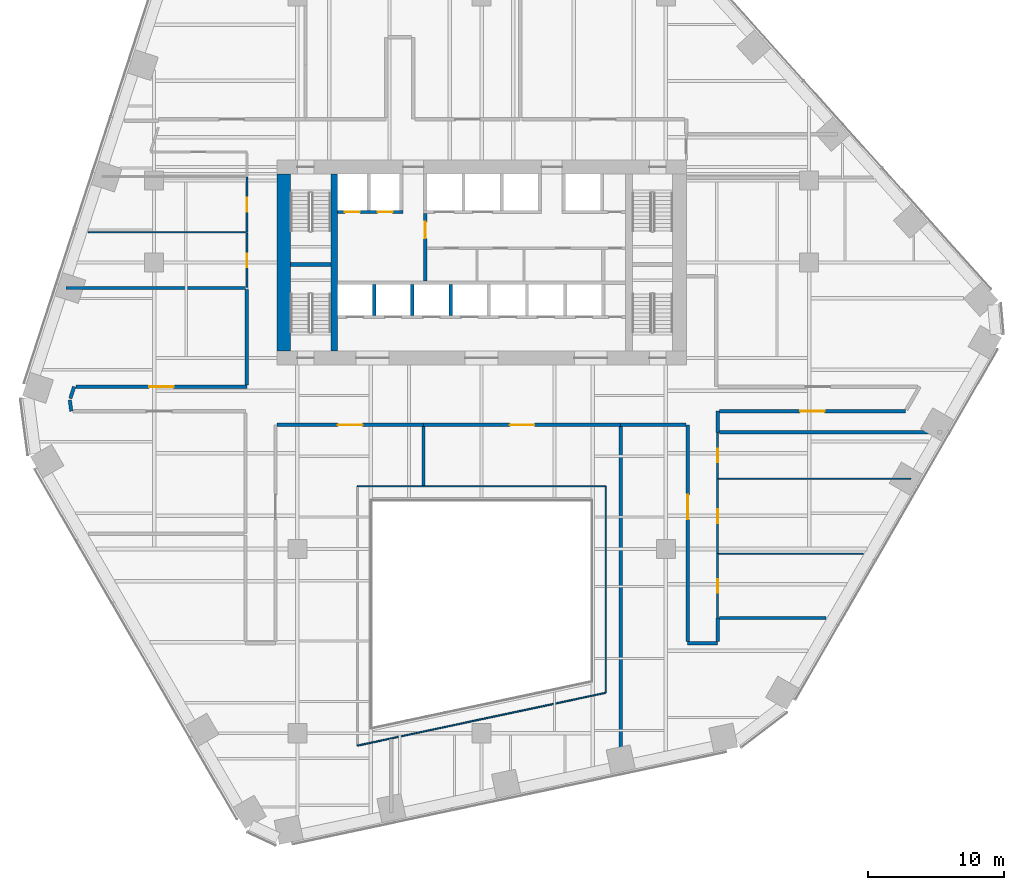
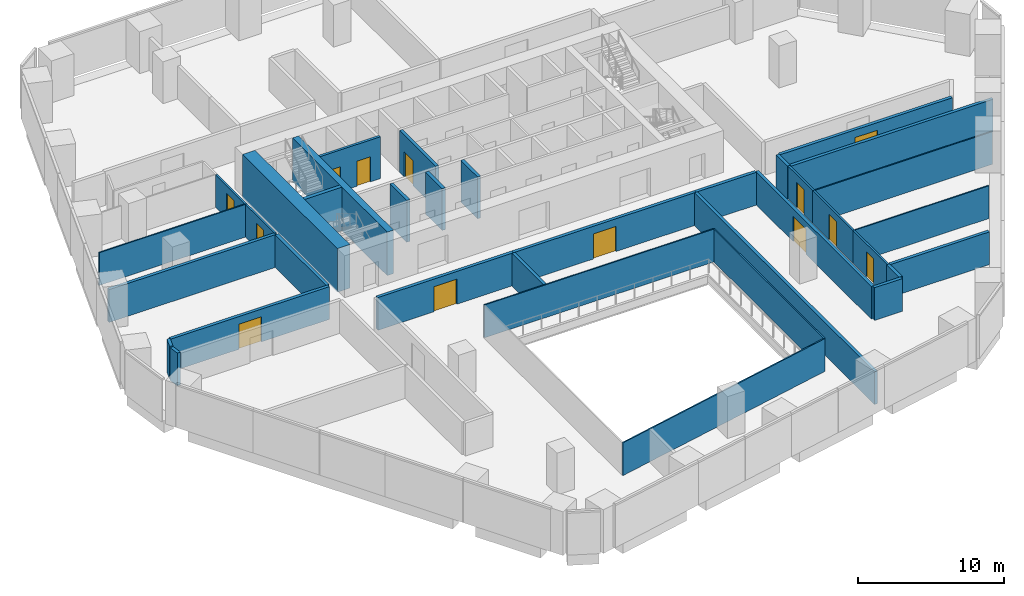
# One storey, part 14 of 20: 36 walls, 13 doors, 13 openings.
"""IFC4 building model written with IfcOpenShell, lengths in metres."""

from ifc_helpers import new_model, si_unit, direction, frame, frame_2d, origin, place, context, subcontext, project, spatial, rectangle, extrude, material, layer, layer_set, type_object, element, fill, save


model = new_model("IFC4")

# Units and contexts
model_context = context("Model", 3, precision=1e-05, world=origin(), true_north=direction((0.0, 1.0)))
body_context = subcontext(model_context, "Body", "Model", "MODEL_VIEW")
ifc_project = project(units=[si_unit("LENGTHUNIT", "METRE"), si_unit("AREAUNIT", "SQUARE_METRE"), si_unit("VOLUMEUNIT", "CUBIC_METRE"), si_unit("PLANEANGLEUNIT", "RADIAN"), si_unit("MASSUNIT", "GRAM", prefix="KILO")], contexts=[model_context])

# Site, building, storey
site_placement = place(None, origin())
site = spatial("IfcSite", under=ifc_project, at=site_placement, CompositionType="ELEMENT")
building_placement = place(site_placement, origin())
building = spatial("IfcBuilding", under=site, at=building_placement, Name="Isthmus Gate Tower", CompositionType="ELEMENT")
storey_placement = place(building_placement, frame((0.0, 0.0, 57.89990234375)))
storey = spatial("IfcBuildingStorey", under=building, at=storey_placement, Name="L12", CompositionType="ELEMENT", Elevation=57.89990234375)

# Wall, opening, door
ifc_material_1 = material(Name="Double-leaf acoustic stud wall, fire-rated", Category="gypsum")
ifc_layer_1 = layer(ifc_material_1, 0.25)
ifc_layer_set_1 = layer_set([ifc_layer_1], Name="ACOUSTIC WALL 250 60 MIN")
wall_type_1 = type_object("IfcWallType", Name="ACOUSTIC WALL 250 60 MIN", PredefinedType="PARTITIONING", material=ifc_layer_set_1)
wall_1_placement = place(storey_placement, frame((-4.2548828125, -4.39990234375, 0.0), z_axis=(0.0, 0.0, 1.0), x_axis=(-1.0, 0.0, 0.0)))
wall_1 = element("IfcWall", 1, at=wall_1_placement, inside=storey, type_object=wall_type_1, Name="L12 Acoustic Wall 250 60 Min", PredefinedType="PARTITIONING", context=body_context, shape_type="SweptSolid", body=[
    extrude(rectangle(XDim=10.72021484375, YDim=0.25, at=frame_2d((5.360107421875, 0.0))), origin(), (0.0, 0.0, 1.0), 2.7412109375),
])
opening_1_placement = place(wall_1_placement, frame((4.472412109375, 0.0, 0.0)))
opening_1 = element("IfcOpeningElement", 2, at=opening_1_placement, cuts=wall_1, Name="Opening DT-T1C-15", PredefinedType="OPENING", context=body_context, shape_type="SweptSolid", body=[
    extrude(rectangle(XDim=1.800048828125, YDim=2.10009765625, at=frame_2d((0.89990234375, 1.050048828125))), frame((0.0, 0.135009765625, 0.0), z_axis=(0.0, -1.0, 0.0), x_axis=(1.0, 0.0, 0.0)), (0.0, 0.0, 1.0), 0.27001953125),
])
ifc_material_2 = material(Name="Solid core timber door leaf, fire-rated", Category="wood")
door_type_1 = type_object("IfcDoorType", Name="FIRE DOOR ACOUSTIC ROOM 1800 X 2100 60 MIN", OperationType="DOUBLE_DOOR_DOUBLE_SWING", PredefinedType="DOOR", material=ifc_material_2)
door_1_placement = place(opening_1_placement, origin())
door_1 = element("IfcDoor", 3, at=door_1_placement, inside=storey, type_object=door_type_1, Name="L12 room door", OperationType="DOUBLE_DOOR_DOUBLE_SWING", OverallHeight=2.10009765625, OverallWidth=1.800048828125, PredefinedType="DOOR", context=body_context, shape_type="SweptSolid", body=[
    extrude(rectangle(XDim=1.800048828125, YDim=2.10009765625, at=frame_2d((0.89990234375, 1.050048828125))), frame((0.0, 0.02490234375, 0.0), z_axis=(0.0, -1.0, 0.0), x_axis=(1.0, 0.0, 0.0)), (0.0, 0.0, 1.0), 0.050048828125),
])
fill(opening_1, door_1)

wall_2_placement = place(storey_placement, frame((10.19189453125, -4.39990234375, 0.0), z_axis=(0.0, 0.0, 1.0), x_axis=(-1.0, 0.0, 0.0)))
wall_2 = element("IfcWall", 4, at=wall_2_placement, inside=storey, type_object=wall_type_1, Name="L12 Acoustic Wall 250 60 Min", PredefinedType="PARTITIONING", context=body_context, shape_type="SweptSolid", body=[
    extrude(rectangle(XDim=14.44677734375, YDim=0.25, at=frame_2d((7.223388671875, 0.0))), origin(), (0.0, 0.0, 1.0), 2.7412109375),
])
opening_2_placement = place(wall_2_placement, frame((6.323486328125, 0.0, 0.0)))
opening_2 = element("IfcOpeningElement", 5, at=opening_2_placement, cuts=wall_2, Name="Opening DT-T1C-16", PredefinedType="OPENING", context=body_context, shape_type="SweptSolid", body=[
    extrude(rectangle(XDim=1.800048828125, YDim=2.10009765625, at=frame_2d((0.89990234375, 1.050048828125))), frame((0.0, 0.135009765625, 0.0), z_axis=(0.0, -1.0, 0.0), x_axis=(1.0, 0.0, 0.0)), (0.0, 0.0, 1.0), 0.27001953125),
])
door_2_placement = place(opening_2_placement, origin())
door_2 = element("IfcDoor", 6, at=door_2_placement, inside=storey, type_object=door_type_1, Name="L12 room door", OperationType="DOUBLE_DOOR_DOUBLE_SWING", OverallHeight=2.10009765625, OverallWidth=1.800048828125, PredefinedType="DOOR", context=body_context, shape_type="SweptSolid", body=[
    extrude(rectangle(XDim=1.800048828125, YDim=2.10009765625, at=frame_2d((0.89990234375, 1.050048828125))), frame((0.0, 0.02490234375, 0.0), z_axis=(0.0, -1.0, 0.0), x_axis=(1.0, 0.0, 0.0)), (0.0, 0.0, 1.0), 0.050048828125),
])
fill(opening_2, door_2)

# Walls
wall_3_placement = place(storey_placement, frame((14.97509765625, -4.39990234375, 0.0), z_axis=(0.0, 0.0, 1.0), x_axis=(-1.0, 0.0, 0.0)))
element("IfcWall", 7, at=wall_3_placement, inside=storey, type_object=wall_type_1, Name="L12 Acoustic Wall 250 60 Min", PredefinedType="PARTITIONING", context=body_context, shape_type="SweptSolid", body=[
    extrude(rectangle(XDim=4.783203125, YDim=0.25, at=frame_2d((2.3916015625, 0.0))), origin(), (0.0, 0.0, 1.0), 2.7412109375),
])
wall_4_placement = place(storey_placement, frame((-30.069091796875, -3.39990234375, 0.0), z_axis=(0.0, 0.0, 1.0), x_axis=(-0.129642868584, 0.991560752867, 0.0)))
element("IfcWall", 8, at=wall_4_placement, inside=storey, type_object=wall_type_1, Name="L12 Acoustic Wall 250 60 Min", PredefinedType="PARTITIONING", context=body_context, shape_type="SweptSolid", body=[
    extrude(rectangle(XDim=0.824951171875, YDim=0.25, at=frame_2d((0.41259765625, 0.0))), origin(), (0.0, 0.0, 1.0), 2.7412109375),
])
wall_5_placement = place(storey_placement, frame((17.302001953125, -3.39990234375, 0.0), z_axis=(0.0, 0.0, 1.0), x_axis=(-0.00125845425, -0.999999208146, 0.0)))
element("IfcWall", 9, at=wall_5_placement, inside=storey, type_object=wall_type_1, Name="L12 Acoustic Wall 250 60 Min", PredefinedType="PARTITIONING", context=body_context, shape_type="SweptSolid", body=[
    extrude(rectangle(XDim=1.552001953125, YDim=0.25, at=frame_2d((0.77587890625, 0.0))), origin(), (0.0, 0.0, 1.0), 2.7412109375),
])

# Wall, opening, door
wall_6_placement = place(storey_placement, frame((31.06103515625, -3.39990234375, 0.0), z_axis=(0.0, 0.0, 1.0), x_axis=(-1.0, 0.0, 0.0)))
wall_6 = element("IfcWall", 10, at=wall_6_placement, inside=storey, type_object=wall_type_1, Name="L12 Acoustic Wall 250 60 Min", PredefinedType="PARTITIONING", context=body_context, shape_type="SweptSolid", body=[
    extrude(rectangle(XDim=13.634033203125, YDim=0.25, at=frame_2d((6.81689453125, 0.0))), origin(), (0.0, 0.0, 1.0), 2.7412109375),
])
opening_3_placement = place(wall_6_placement, frame((5.9169921875, 0.0, 0.0)))
opening_3 = element("IfcOpeningElement", 11, at=opening_3_placement, cuts=wall_6, Name="Opening DT-T1C-09", PredefinedType="OPENING", context=body_context, shape_type="SweptSolid", body=[
    extrude(rectangle(XDim=1.800048828125, YDim=2.10009765625, at=frame_2d((0.89990234375, 1.050048828125))), frame((0.0, 0.135009765625, 0.0), z_axis=(0.0, -1.0, 0.0), x_axis=(1.0, 0.0, 0.0)), (0.0, 0.0, 1.0), 0.27001953125),
])
door_3_placement = place(opening_3_placement, origin())
door_3 = element("IfcDoor", 12, at=door_3_placement, inside=storey, type_object=door_type_1, Name="L12 room door", OperationType="DOUBLE_DOOR_DOUBLE_SWING", OverallHeight=2.10009765625, OverallWidth=1.800048828125, PredefinedType="DOOR", context=body_context, shape_type="SweptSolid", body=[
    extrude(rectangle(XDim=1.800048828125, YDim=2.10009765625, at=frame_2d((0.89990234375, 1.050048828125))), frame((0.0, 0.02490234375, 0.0), z_axis=(0.0, -1.0, 0.0), x_axis=(1.0, 0.0, 0.0)), (0.0, 0.0, 1.0), 0.050048828125),
])
fill(opening_3, door_3)

# Walls
wall_7_placement = place(storey_placement, frame((17.300048828125, -20.39990234375, 0.0), z_axis=(0.0, 0.0, 1.0), x_axis=(-1.0, 0.0, 0.0)))
element("IfcWall", 13, at=wall_7_placement, inside=storey, type_object=wall_type_1, Name="L12 Acoustic Wall 250 60 Min", PredefinedType="PARTITIONING", context=body_context, shape_type="SweptSolid", body=[
    extrude(rectangle(XDim=2.199951171875, YDim=0.25, at=frame_2d((1.10009765625, 0.0))), origin(), (0.0, 0.0, 1.0), 2.7412109375),
])
wall_8_placement = place(storey_placement, frame((17.300048828125, -18.549072265625, 0.0), z_axis=(0.0, 0.0, 1.0), x_axis=(0.0, -1.0, 0.0)))
element("IfcWall", 14, at=wall_8_placement, inside=storey, type_object=wall_type_1, Name="L12 Acoustic Wall 250 60 Min", PredefinedType="PARTITIONING", context=body_context, shape_type="SweptSolid", body=[
    extrude(rectangle(XDim=1.725830078125, YDim=0.25, at=frame_2d((0.86279296875, 0.0))), origin(), (0.0, 0.0, 1.0), 2.7412109375),
])
wall_9_placement = place(storey_placement, frame((-30.450927734375, 5.6298828125, 0.0), z_axis=(0.0, 0.0, 1.0), x_axis=(1.0, 0.0, 0.0)))
element("IfcWall", 15, at=wall_9_placement, inside=storey, type_object=wall_type_1, Name="L12 Acoustic Wall 250 60 Min", PredefinedType="PARTITIONING", context=body_context, shape_type="SweptSolid", body=[
    extrude(rectangle(XDim=13.176025390625, YDim=0.25, at=frame_2d((6.587890625, 0.0))), origin(), (0.0, 0.0, 1.0), 2.7412109375),
])
wall_10_placement = place(storey_placement, frame((33.39794921875, -4.951904296875, 0.0), z_axis=(0.0, 0.0, 1.0), x_axis=(-1.0, 0.0, 0.0)))
element("IfcWall", 16, at=wall_10_placement, inside=storey, type_object=wall_type_1, Name="L12 Acoustic Wall 250 60 Min", PredefinedType="PARTITIONING", context=body_context, shape_type="SweptSolid", body=[
    extrude(rectangle(XDim=15.972900390625, YDim=0.25, at=frame_2d((7.986328125, 0.0))), origin(), (0.0, 0.0, 1.0), 2.7412109375),
])
wall_11_placement = place(storey_placement, frame((-30.13720703125, -2.463134765625, 0.0), z_axis=(0.0, 0.0, 1.0), x_axis=(0.309846187565, 0.950786695348, 0.0)))
element("IfcWall", 17, at=wall_11_placement, inside=storey, type_object=wall_type_1, Name="L12 Acoustic Wall 250 60 Min", PredefinedType="PARTITIONING", context=body_context, shape_type="SweptSolid", body=[
    extrude(rectangle(XDim=0.90771484375, YDim=0.25, at=frame_2d((0.453857421875, 0.0))), origin(), (0.0, 0.0, 1.0), 2.7412109375),
])

# Wall, opening, door
wall_12_placement = place(storey_placement, frame((-29.73095703125, -1.60009765625, 0.0), z_axis=(0.0, 0.0, 1.0), x_axis=(1.0, 0.0, 0.0)))
wall_12 = element("IfcWall", 18, at=wall_12_placement, inside=storey, type_object=wall_type_1, Name="L12 Acoustic Wall 250 60 Min", PredefinedType="PARTITIONING", context=body_context, shape_type="SweptSolid", body=[
    extrude(rectangle(XDim=12.531005859375, YDim=0.25, at=frame_2d((6.265625, 0.0))), origin(), (0.0, 0.0, 1.0), 2.7412109375),
])
opening_4_placement = place(wall_12_placement, frame((5.365478515625, 0.0, 0.0)))
opening_4 = element("IfcOpeningElement", 19, at=opening_4_placement, cuts=wall_12, Name="Opening DT-T1C-11", PredefinedType="OPENING", context=body_context, shape_type="SweptSolid", body=[
    extrude(rectangle(XDim=1.800048828125, YDim=2.10009765625, at=frame_2d((0.89990234375, 1.050048828125))), frame((0.0, 0.135009765625, 0.0), z_axis=(0.0, -1.0, 0.0), x_axis=(1.0, 0.0, 0.0)), (0.0, 0.0, 1.0), 0.27001953125),
])
door_4_placement = place(opening_4_placement, origin())
door_4 = element("IfcDoor", 20, at=door_4_placement, inside=storey, type_object=door_type_1, Name="L12 room door", OperationType="DOUBLE_DOOR_DOUBLE_SWING", OverallHeight=2.10009765625, OverallWidth=1.800048828125, PredefinedType="DOOR", context=body_context, shape_type="SweptSolid", body=[
    extrude(rectangle(XDim=1.800048828125, YDim=2.10009765625, at=frame_2d((0.89990234375, 1.050048828125))), frame((0.0, 0.02490234375, 0.0), z_axis=(0.0, -1.0, 0.0), x_axis=(1.0, 0.0, 0.0)), (0.0, 0.0, 1.0), 0.050048828125),
])
fill(opening_4, door_4)

# Walls
wall_13_placement = place(storey_placement, frame((-17.199951171875, -1.47509765625, 0.0), z_axis=(0.0, 0.0, 1.0), x_axis=(0.0, 1.0, 0.0)))
element("IfcWall", 21, at=wall_13_placement, inside=storey, type_object=wall_type_1, Name="L12 Acoustic Wall 250 60 Min", PredefinedType="PARTITIONING", context=body_context, shape_type="SweptSolid", body=[
    extrude(rectangle(XDim=6.97998046875, YDim=0.25, at=frame_2d((3.489990234375, 0.0))), origin(), (0.0, 0.0, 1.0), 2.7412109375),
])
wall_14_placement = place(storey_placement, frame((-4.2548828125, -8.85009765625, 0.0), z_axis=(0.0, 0.0, 1.0), x_axis=(0.0, 1.0, 0.0)))
element("IfcWall", 22, at=wall_14_placement, inside=storey, type_object=wall_type_1, Name="L12 Acoustic Wall 250 60 Min", PredefinedType="PARTITIONING", context=body_context, shape_type="SweptSolid", body=[
    extrude(rectangle(XDim=4.3251953125, YDim=0.25, at=frame_2d((2.16259765625, 0.0))), origin(), (0.0, 0.0, 1.0), 2.7412109375),
])
wall_15_placement = place(storey_placement, frame((10.19189453125, -29.219970703125, 0.0), z_axis=(0.0, 0.0, 1.0), x_axis=(0.0, 1.0, 0.0)))
element("IfcWall", 23, at=wall_15_placement, inside=storey, type_object=wall_type_1, Name="L12 Acoustic Wall 250 60 Min", PredefinedType="PARTITIONING", context=body_context, shape_type="SweptSolid", body=[
    extrude(rectangle(XDim=24.695068359375, YDim=0.25, at=frame_2d((12.34765625, 0.0))), origin(), (0.0, 0.0, 1.0), 2.7412109375),
])

# Wall, opening, door
wall_16_placement = place(storey_placement, frame((15.10009765625, -20.27490234375, 0.0), z_axis=(0.0, 0.0, 1.0), x_axis=(0.0, 1.0, 0.0)))
wall_16 = element("IfcWall", 24, at=wall_16_placement, inside=storey, type_object=wall_type_1, Name="L12 Acoustic Wall 250 60 Min", PredefinedType="PARTITIONING", context=body_context, shape_type="SweptSolid", body=[
    extrude(rectangle(XDim=15.875, YDim=0.25, at=frame_2d((7.9375, 0.0))), origin(), (0.0, 0.0, 1.0), 2.7412109375),
])
opening_5_placement = place(wall_16_placement, frame((8.9423828125, 0.0, 0.0)))
opening_5 = element("IfcOpeningElement", 25, at=opening_5_placement, cuts=wall_16, Name="Opening DT-T1C-17", PredefinedType="OPENING", context=body_context, shape_type="SweptSolid", body=[
    extrude(rectangle(XDim=1.800048828125, YDim=2.10009765625, at=frame_2d((0.89990234375, 1.050048828125))), frame((0.0, 0.135009765625, 0.0), z_axis=(0.0, -1.0, 0.0), x_axis=(1.0, 0.0, 0.0)), (0.0, 0.0, 1.0), 0.27001953125),
])
door_5_placement = place(opening_5_placement, origin())
door_5 = element("IfcDoor", 26, at=door_5_placement, inside=storey, type_object=door_type_1, Name="L12 room door", OperationType="DOUBLE_DOOR_DOUBLE_SWING", OverallHeight=2.10009765625, OverallWidth=1.800048828125, PredefinedType="DOOR", context=body_context, shape_type="SweptSolid", body=[
    extrude(rectangle(XDim=1.800048828125, YDim=2.10009765625, at=frame_2d((0.89990234375, 1.050048828125))), frame((0.0, 0.02490234375, 0.0), z_axis=(0.0, -1.0, 0.0), x_axis=(1.0, 0.0, 0.0)), (0.0, 0.0, 1.0), 0.050048828125),
])
fill(opening_5, door_5)

# Walls
wall_17_placement = place(storey_placement, frame((17.425048828125, -18.549072265625, 0.0), z_axis=(0.0, 0.0, 1.0), x_axis=(1.0, 0.0, 0.0)))
element("IfcWall", 27, at=wall_17_placement, inside=storey, type_object=wall_type_1, Name="L12 Acoustic Wall 250 60 Min", PredefinedType="PARTITIONING", context=body_context, shape_type="SweptSolid", body=[
    extrude(rectangle(XDim=7.822998046875, YDim=0.25, at=frame_2d((3.91162109375, 0.0))), origin(), (0.0, 0.0, 1.0), 2.7412109375),
])
ifc_material_3 = material(Name="Fire-rated laminated glass in steel frame", Category="steel")
ifc_layer_2 = layer(ifc_material_3, 0.10009765625)
ifc_layer_set_2 = layer_set([ifc_layer_2], Name="ATRIUM SCREEN GLAZED WALL 100 120 MIN")
wall_type_2 = type_object("IfcWallType", Name="ATRIUM SCREEN GLAZED WALL 100 120 MIN", PredefinedType="PARTITIONING", material=ifc_layer_set_2)
wall_18_placement = place(storey_placement, frame((-9.10009765625, -8.89990234375, 0.0), z_axis=(0.0, 0.0, 1.0), x_axis=(1.0, 0.0, 0.0)))
element("IfcWall", 28, at=wall_18_placement, inside=storey, type_object=wall_type_2, Name="L12 atrium screen", PredefinedType="PARTITIONING", context=body_context, shape_type="SweptSolid", body=[
    extrude(rectangle(XDim=18.2001953125, YDim=0.10009765625, at=frame_2d((9.10009765625, 0.0))), origin(), (0.0, 0.0, 1.0), 2.7412109375),
])
wall_19_placement = place(storey_placement, frame((9.10009765625, -8.89990234375, 0.0), z_axis=(0.0, 0.0, 1.0), x_axis=(0.0, -1.0, 0.0)))
element("IfcWall", 29, at=wall_19_placement, inside=storey, type_object=wall_type_2, Name="L12 atrium screen", PredefinedType="PARTITIONING", context=body_context, shape_type="SweptSolid", body=[
    extrude(rectangle(XDim=15.134033203125, YDim=0.10009765625, at=frame_2d((7.56689453125, 0.0))), origin(), (0.0, 0.0, 1.0), 2.7412109375),
])
wall_20_placement = place(storey_placement, frame((9.10009765625, -24.033935546875, 0.0), z_axis=(0.0, 0.0, 1.0), x_axis=(-0.978146710971, -0.207915876778, 0.0)))
element("IfcWall", 30, at=wall_20_placement, inside=storey, type_object=wall_type_2, Name="L12 atrium screen", PredefinedType="PARTITIONING", context=body_context, shape_type="SweptSolid", body=[
    extrude(rectangle(XDim=18.60693359375, YDim=0.10009765625, at=frame_2d((9.303466796875, 0.0))), origin(), (0.0, 0.0, 1.0), 2.7412109375),
])

# Wall, opening, door
ifc_material_4 = material(Name="Gypsum board on steel studs, fire-rated", Category="steel")
ifc_layer_3 = layer(ifc_material_4, 0.14990234375)
ifc_layer_set_3 = layer_set([ifc_layer_3], Name="CORRIDOR WALL 150 60 MIN")
wall_type_3 = type_object("IfcWallType", Name="CORRIDOR WALL 150 60 MIN", PredefinedType="PARTITIONING", material=ifc_layer_set_3)
wall_21_placement = place(storey_placement, frame((17.300048828125, -4.951904296875, 0.0), z_axis=(0.0, 0.0, 1.0), x_axis=(0.0, -1.0, 0.0)))
wall_21 = element("IfcWall", 31, at=wall_21_placement, inside=storey, type_object=wall_type_3, Name="L12 Corridor Wall 150 60 Min", PredefinedType="PARTITIONING", context=body_context, shape_type="SweptSolid", body=[
    extrude(rectangle(XDim=3.398193359375, YDim=0.14990234375, at=frame_2d((1.69921875, 0.0))), origin(), (0.0, 0.0, 1.0), 2.7412109375),
])
opening_6_placement = place(wall_21_placement, frame((1.198974609375, 0.0, 0.0)))
opening_6 = element("IfcOpeningElement", 32, at=opening_6_placement, cuts=wall_21, Name="Opening DT-T1C-12", PredefinedType="OPENING", context=body_context, shape_type="SweptSolid", body=[
    extrude(rectangle(XDim=1.0, YDim=2.10009765625, at=frame_2d((0.5, 1.050048828125))), frame((0.0, 0.0849609375, 0.0), z_axis=(0.0, -1.0, 0.0), x_axis=(1.0, 0.0, 0.0)), (0.0, 0.0, 1.0), 0.169921875),
])
ifc_material_5 = material(Name="Solid core timber door leaf, fire-rated", Category="wood")
door_type_2 = type_object("IfcDoorType", Name="FIRE DOOR ROOM 1000 X 2100 60 MIN", OperationType="SINGLE_SWING_LEFT", PredefinedType="DOOR", material=ifc_material_5)
door_6_placement = place(opening_6_placement, origin())
door_6 = element("IfcDoor", 33, at=door_6_placement, inside=storey, type_object=door_type_2, Name="L12 room door", OperationType="SINGLE_SWING_RIGHT", OverallHeight=2.10009765625, OverallWidth=1.0, PredefinedType="DOOR", context=body_context, shape_type="SweptSolid", body=[
    extrude(rectangle(XDim=1.0, YDim=2.10009765625, at=frame_2d((0.5, 1.050048828125))), frame((0.0, 0.02490234375, 0.0), z_axis=(0.0, -1.0, 0.0), x_axis=(1.0, 0.0, 0.0)), (0.0, 0.0, 1.0), 0.050048828125),
])
fill(opening_6, door_6)

wall_22_placement = place(storey_placement, frame((17.300048828125, -8.35009765625, 0.0), z_axis=(0.0, 0.0, 1.0), x_axis=(0.0, -1.0, 0.0)))
wall_22 = element("IfcWall", 34, at=wall_22_placement, inside=storey, type_object=wall_type_3, Name="L12 Corridor Wall 150 60 Min", PredefinedType="PARTITIONING", context=body_context, shape_type="SweptSolid", body=[
    extrude(rectangle(XDim=5.489013671875, YDim=0.14990234375, at=frame_2d((2.74462890625, 0.0))), origin(), (0.0, 0.0, 1.0), 2.7412109375),
])
opening_7_placement = place(wall_22_placement, frame((2.244384765625, 0.0, 0.0)))
opening_7 = element("IfcOpeningElement", 35, at=opening_7_placement, cuts=wall_22, Name="Opening DT-T1C-13", PredefinedType="OPENING", context=body_context, shape_type="SweptSolid", body=[
    extrude(rectangle(XDim=1.0, YDim=2.10009765625, at=frame_2d((0.5, 1.050048828125))), frame((0.0, 0.0849609375, 0.0), z_axis=(0.0, -1.0, 0.0), x_axis=(1.0, 0.0, 0.0)), (0.0, 0.0, 1.0), 0.169921875),
])
door_7_placement = place(opening_7_placement, origin())
door_7 = element("IfcDoor", 36, at=door_7_placement, inside=storey, type_object=door_type_2, Name="L12 room door", OperationType="SINGLE_SWING_RIGHT", OverallHeight=2.10009765625, OverallWidth=1.0, PredefinedType="DOOR", context=body_context, shape_type="SweptSolid", body=[
    extrude(rectangle(XDim=1.0, YDim=2.10009765625, at=frame_2d((0.5, 1.050048828125))), frame((0.0, 0.02490234375, 0.0), z_axis=(0.0, -1.0, 0.0), x_axis=(1.0, 0.0, 0.0)), (0.0, 0.0, 1.0), 0.050048828125),
])
fill(opening_7, door_7)

wall_23_placement = place(storey_placement, frame((17.300048828125, -13.839111328125, 0.0), z_axis=(0.0, 0.0, 1.0), x_axis=(0.0, -1.0, 0.0)))
wall_23 = element("IfcWall", 37, at=wall_23_placement, inside=storey, type_object=wall_type_3, Name="L12 Corridor Wall 150 60 Min", PredefinedType="PARTITIONING", context=body_context, shape_type="SweptSolid", body=[
    extrude(rectangle(XDim=4.7099609375, YDim=0.14990234375, at=frame_2d((2.35498046875, 0.0))), origin(), (0.0, 0.0, 1.0), 2.7412109375),
])
opening_8_placement = place(wall_23_placement, frame((1.85498046875, 0.0, 0.0)))
opening_8 = element("IfcOpeningElement", 38, at=opening_8_placement, cuts=wall_23, Name="Opening DT-T1C-18", PredefinedType="OPENING", context=body_context, shape_type="SweptSolid", body=[
    extrude(rectangle(XDim=1.0, YDim=2.10009765625, at=frame_2d((0.5, 1.050048828125))), frame((0.0, 0.0849609375, 0.0), z_axis=(0.0, -1.0, 0.0), x_axis=(1.0, 0.0, 0.0)), (0.0, 0.0, 1.0), 0.169921875),
])
door_8_placement = place(opening_8_placement, origin())
door_8 = element("IfcDoor", 39, at=door_8_placement, inside=storey, type_object=door_type_2, Name="L12 room door", OperationType="SINGLE_SWING_RIGHT", OverallHeight=2.10009765625, OverallWidth=1.0, PredefinedType="DOOR", context=body_context, shape_type="SweptSolid", body=[
    extrude(rectangle(XDim=1.0, YDim=2.10009765625, at=frame_2d((0.5, 1.050048828125))), frame((0.0, 0.02490234375, 0.0), z_axis=(0.0, -1.0, 0.0), x_axis=(1.0, 0.0, 0.0)), (0.0, 0.0, 1.0), 0.050048828125),
])
fill(opening_8, door_8)

wall_24_placement = place(storey_placement, frame((-17.199951171875, 9.714111328125, 0.0), z_axis=(0.0, 0.0, 1.0), x_axis=(0.0, 1.0, 0.0)))
wall_24 = element("IfcWall", 40, at=wall_24_placement, inside=storey, type_object=wall_type_3, Name="L12 Corridor Wall 150 60 Min", PredefinedType="PARTITIONING", context=body_context, shape_type="SweptSolid", body=[
    extrude(rectangle(XDim=4.034912109375, YDim=0.14990234375, at=frame_2d((2.017578125, 0.0))), origin(), (0.0, 0.0, 1.0), 2.7412109375),
])
opening_9_placement = place(wall_24_placement, frame((1.517578125, 0.0, 0.0)))
opening_9 = element("IfcOpeningElement", 41, at=opening_9_placement, cuts=wall_24, Name="Opening DT-T1C-06", PredefinedType="OPENING", context=body_context, shape_type="SweptSolid", body=[
    extrude(rectangle(XDim=1.0, YDim=2.10009765625, at=frame_2d((0.5, 1.050048828125))), frame((0.0, 0.0849609375, 0.0), z_axis=(0.0, -1.0, 0.0), x_axis=(1.0, 0.0, 0.0)), (0.0, 0.0, 1.0), 0.169921875),
])
door_9_placement = place(opening_9_placement, origin())
door_9 = element("IfcDoor", 42, at=door_9_placement, inside=storey, type_object=door_type_2, Name="L12 room door", OperationType="SINGLE_SWING_RIGHT", OverallHeight=2.10009765625, OverallWidth=1.0, PredefinedType="DOOR", context=body_context, shape_type="SweptSolid", body=[
    extrude(rectangle(XDim=1.0, YDim=2.10009765625, at=frame_2d((0.5, 1.050048828125))), frame((0.0, 0.02490234375, 0.0), z_axis=(0.0, -1.0, 0.0), x_axis=(1.0, 0.0, 0.0)), (0.0, 0.0, 1.0), 0.050048828125),
])
fill(opening_9, door_9)

wall_25_placement = place(storey_placement, frame((-17.199951171875, 5.679931640625, 0.0), z_axis=(0.0, 0.0, 1.0), x_axis=(0.0, 1.0, 0.0)))
wall_25 = element("IfcWall", 43, at=wall_25_placement, inside=storey, type_object=wall_type_3, Name="L12 Corridor Wall 150 60 Min", PredefinedType="PARTITIONING", context=body_context, shape_type="SweptSolid", body=[
    extrude(rectangle(XDim=3.984130859375, YDim=0.14990234375, at=frame_2d((1.9921875, 0.0))), origin(), (0.0, 0.0, 1.0), 2.7412109375),
])
opening_10_placement = place(wall_25_placement, frame((1.467041015625, 0.0, 0.0)))
opening_10 = element("IfcOpeningElement", 44, at=opening_10_placement, cuts=wall_25, Name="Opening DT-T1C-07", PredefinedType="OPENING", context=body_context, shape_type="SweptSolid", body=[
    extrude(rectangle(XDim=1.0, YDim=2.10009765625, at=frame_2d((0.5, 1.050048828125))), frame((0.0, 0.0849609375, 0.0), z_axis=(0.0, -1.0, 0.0), x_axis=(1.0, 0.0, 0.0)), (0.0, 0.0, 1.0), 0.169921875),
])
door_10_placement = place(opening_10_placement, origin())
door_10 = element("IfcDoor", 45, at=door_10_placement, inside=storey, type_object=door_type_2, Name="L12 room door", OperationType="SINGLE_SWING_RIGHT", OverallHeight=2.10009765625, OverallWidth=1.0, PredefinedType="DOOR", context=body_context, shape_type="SweptSolid", body=[
    extrude(rectangle(XDim=1.0, YDim=2.10009765625, at=frame_2d((0.5, 1.050048828125))), frame((0.0, 0.02490234375, 0.0), z_axis=(0.0, -1.0, 0.0), x_axis=(1.0, 0.0, 0.0)), (0.0, 0.0, 1.0), 0.050048828125),
])
fill(opening_10, door_10)

ifc_material_6 = material(Name="Fire-rated blockwork masonry, 15 MPa", Category="masonry")
ifc_layer_4 = layer(ifc_material_6, 0.25)
ifc_layer_set_4 = layer_set([ifc_layer_4], Name="FIRE-FIGHTING LOBBY WALL 250 90 MIN")
wall_type_4 = type_object("IfcWallType", Name="FIRE-FIGHTING LOBBY WALL 250 90 MIN", PredefinedType="PARTITIONING", material=ifc_layer_set_4)
wall_26_placement = place(storey_placement, frame((-4.125, 6.14990234375, 0.0), z_axis=(0.0, 0.0, 1.0), x_axis=(0.0, 1.0, 0.0)))
wall_26 = element("IfcWall", 46, at=wall_26_placement, inside=storey, type_object=wall_type_4, Name="L12 FIRE-FIGHTING LOBBY WALL 250 90 MIN", PredefinedType="PARTITIONING", context=body_context, shape_type="SweptSolid", body=[
    extrude(rectangle(XDim=4.9501953125, YDim=0.25, at=frame_2d((2.47509765625, 0.0))), origin(), (0.0, 0.0, 1.0), 3.5),
])
opening_11_placement = place(wall_26_placement, frame((3.125, 0.0, 0.0)))
opening_11 = element("IfcOpeningElement", 47, at=opening_11_placement, cuts=wall_26, Name="Opening DC-A05-01", PredefinedType="OPENING", context=body_context, shape_type="SweptSolid", body=[
    extrude(rectangle(XDim=1.199951171875, YDim=2.10009765625, at=frame_2d((0.60009765625, 1.050048828125))), frame((0.0, 0.135009765625, 0.0), z_axis=(0.0, -1.0, 0.0), x_axis=(1.0, 0.0, 0.0)), (0.0, 0.0, 1.0), 0.27001953125),
])
ifc_material_7 = material(Name="Steel door leaf, fire-rated", Category="steel")
door_type_3 = type_object("IfcDoorType", Name="LOBBY FIRE DOOR 1200 X 2100 90 MIN", OperationType="DOUBLE_DOOR_SINGLE_SWING", PredefinedType="DOOR", material=ifc_material_7)
door_11_placement = place(opening_11_placement, origin())
door_11 = element("IfcDoor", 48, at=door_11_placement, inside=storey, type_object=door_type_3, Name="Fire-fighting Lobby Door", OperationType="SINGLE_SWING_LEFT", OverallHeight=2.10009765625, OverallWidth=1.199951171875, PredefinedType="DOOR", context=body_context, shape_type="SweptSolid", body=[
    extrude(rectangle(XDim=1.199951171875, YDim=2.10009765625, at=frame_2d((0.60009765625, 1.050048828125))), frame((0.0, 0.02490234375, 0.0), z_axis=(0.0, -1.0, 0.0), x_axis=(1.0, 0.0, 0.0)), (0.0, 0.0, 1.0), 0.050048828125),
])
fill(opening_11, door_11)

# Walls
ifc_material_8 = material(Name="Concrete f'c 70 MPa", Category="concrete")
ifc_layer_5 = layer(ifc_material_8, 0.5)
ifc_layer_set_5 = layer_set([ifc_layer_5], Name="RC CORE SPINE WALL 500 F'C 70")
wall_type_5 = type_object("IfcWallType", Name="RC CORE SPINE WALL 500 F'C 70", PredefinedType="SOLIDWALL", material=ifc_layer_set_5)
wall_27_placement = place(storey_placement, frame((-10.800048828125, 1.0, -0.14990234375), z_axis=(0.0, 0.0, 1.0), x_axis=(0.0, 1.0, 0.0)))
element("IfcWall", 49, at=wall_27_placement, inside=storey, type_object=wall_type_5, Name="str-corewall-L12-SPW", PredefinedType="SOLIDWALL", context=body_context, shape_type="SweptSolid", body=[
    extrude(rectangle(XDim=13.0, YDim=0.5, at=frame_2d((6.5, 0.0))), origin(), (0.0, 0.0, 1.0), 3.64990234375),
])
ifc_material_9 = material(Name="Concrete f'c 70 MPa", Category="concrete")
ifc_layer_6 = layer(ifc_material_9, 1.0)
ifc_layer_set_6 = layer_set([ifc_layer_6], Name="RC CORE WALL 1000 F'C 70")
wall_type_6 = type_object("IfcWallType", Name="RC CORE WALL 1000 F'C 70", PredefinedType="SOLIDWALL", material=ifc_layer_set_6)
wall_28_placement = place(storey_placement, frame((-14.5, 1.0, -0.14990234375), z_axis=(0.0, 0.0, 1.0), x_axis=(0.0, 1.0, 0.0)))
element("IfcWall", 50, at=wall_28_placement, inside=storey, type_object=wall_type_6, Name="str-corewall-L12-W", PredefinedType="SOLIDWALL", context=body_context, shape_type="SweptSolid", body=[
    extrude(rectangle(XDim=13.0, YDim=1.0, at=frame_2d((6.5, 0.0))), origin(), (0.0, 0.0, 1.0), 3.64990234375),
])
ifc_material_10 = material(Name="Gypsum board on steel studs, fire-rated", Category="steel")
ifc_layer_7 = layer(ifc_material_10, 0.10009765625)
ifc_layer_set_7 = layer_set([ifc_layer_7], Name="ROOM PARTITION 100 30 MIN")
wall_type_7 = type_object("IfcWallType", Name="ROOM PARTITION 100 30 MIN", PredefinedType="PARTITIONING", material=ifc_layer_set_7)
wall_29_placement = place(storey_placement, frame((-28.823974609375, 9.714111328125, 0.0), z_axis=(0.0, 0.0, 1.0), x_axis=(1.0, 0.0, 0.0)))
element("IfcWall", 51, at=wall_29_placement, inside=storey, type_object=wall_type_7, Name="L12 Room Partition 100 30 Min", PredefinedType="PARTITIONING", context=body_context, shape_type="SweptSolid", body=[
    extrude(rectangle(XDim=11.549072265625, YDim=0.10009765625, at=frame_2d((5.7744140625, 0.0))), origin(), (0.0, 0.0, 1.0), 2.7412109375),
])
wall_30_placement = place(storey_placement, frame((17.375, -8.35009765625, 0.0), z_axis=(0.0, 0.0, 1.0), x_axis=(1.0, 0.0, 0.0)))
element("IfcWall", 52, at=wall_30_placement, inside=storey, type_object=wall_type_7, Name="L12 Room Partition 100 30 Min", PredefinedType="PARTITIONING", context=body_context, shape_type="SweptSolid", body=[
    extrude(rectangle(XDim=14.06201171875, YDim=0.10009765625, at=frame_2d((7.031005859375, 0.0))), origin(), (0.0, 0.0, 1.0), 2.7412109375),
])
wall_31_placement = place(storey_placement, frame((17.375, -13.839111328125, 0.0), z_axis=(0.0, 0.0, 1.0), x_axis=(1.0, 0.0, 0.0)))
element("IfcWall", 53, at=wall_31_placement, inside=storey, type_object=wall_type_7, Name="L12 Room Partition 100 30 Min", PredefinedType="PARTITIONING", context=body_context, shape_type="SweptSolid", body=[
    extrude(rectangle(XDim=10.592041015625, YDim=0.10009765625, at=frame_2d((5.2958984375, 0.0))), origin(), (0.0, 0.0, 1.0), 2.7412109375),
])

# Wall, openings, doors
ifc_material_11 = material(Name="Fire-rated blockwork masonry, 15 MPa", Category="masonry")
ifc_layer_8 = layer(ifc_material_11, 0.199951171875)
ifc_layer_set_8 = layer_set([ifc_layer_8], Name="SHAFT FRONT WALL 200 120 MIN")
wall_type_8 = type_object("IfcWallType", Name="SHAFT FRONT WALL 200 120 MIN", PredefinedType="PARTITIONING", material=ifc_layer_set_8)
wall_32_placement = place(storey_placement, frame((-10.550048828125, 11.199951171875, 0.0), z_axis=(0.0, 0.0, 1.0), x_axis=(1.0, 0.0, 0.0)))
wall_32 = element("IfcWall", 54, at=wall_32_placement, inside=storey, type_object=wall_type_8, Name="L12 SHAFT FRONT WALL 200 120 MIN", PredefinedType="PARTITIONING", context=body_context, shape_type="SweptSolid", body=[
    extrude(rectangle(XDim=4.800048828125, YDim=0.199951171875, at=frame_2d((2.39990234375, 0.0))), origin(), (0.0, 0.0, 1.0), 3.5),
])
opening_12_placement = place(wall_32_placement, frame((0.52490234375, 0.0, 0.0)))
opening_12 = element("IfcOpeningElement", 55, at=opening_12_placement, cuts=wall_32, Name="Opening LD-LF1", PredefinedType="OPENING", context=body_context, shape_type="SweptSolid", body=[
    extrude(rectangle(XDim=1.10009765625, YDim=2.10009765625, at=frame_2d((0.550048828125, 1.050048828125))), frame((0.0, 0.10986328125, 0.0), z_axis=(0.0, -1.0, 0.0), x_axis=(1.0, 0.0, 0.0)), (0.0, 0.0, 1.0), 0.219970703125),
])
opening_13_placement = place(wall_32_placement, frame((2.925048828125, 0.0, 0.0)))
opening_13 = element("IfcOpeningElement", 56, at=opening_13_placement, cuts=wall_32, Name="Opening LD-LF2", PredefinedType="OPENING", context=body_context, shape_type="SweptSolid", body=[
    extrude(rectangle(XDim=1.10009765625, YDim=2.10009765625, at=frame_2d((0.550048828125, 1.050048828125))), frame((0.0, 0.10986328125, 0.0), z_axis=(0.0, -1.0, 0.0), x_axis=(1.0, 0.0, 0.0)), (0.0, 0.0, 1.0), 0.219970703125),
])
ifc_material_12 = material(Name="Stainless steel sliding leaf", Category="steel")
door_type_4 = type_object("IfcDoorType", Name="LIFT LANDING FIRE DOOR 1100 X 2100 90 MIN", OperationType="DOUBLE_DOOR_SLIDING", PredefinedType="DOOR", material=ifc_material_12)
door_12_placement = place(opening_12_placement, origin())
door_12 = element("IfcDoor", 57, at=door_12_placement, inside=storey, type_object=door_type_4, Name="Lift Landing Door LF1", OperationType="DOUBLE_DOOR_SLIDING", OverallHeight=2.10009765625, OverallWidth=1.10009765625, PredefinedType="DOOR", context=body_context, shape_type="SweptSolid", body=[
    extrude(rectangle(XDim=1.10009765625, YDim=2.10009765625, at=frame_2d((0.550048828125, 1.050048828125))), frame((0.0, 0.02490234375, 0.0), z_axis=(0.0, -1.0, 0.0), x_axis=(1.0, 0.0, 0.0)), (0.0, 0.0, 1.0), 0.050048828125),
])
fill(opening_12, door_12)
door_13_placement = place(opening_13_placement, origin())
door_13 = element("IfcDoor", 58, at=door_13_placement, inside=storey, type_object=door_type_4, Name="Lift Landing Door LF2", OperationType="DOUBLE_DOOR_SLIDING", OverallHeight=2.10009765625, OverallWidth=1.10009765625, PredefinedType="DOOR", context=body_context, shape_type="SweptSolid", body=[
    extrude(rectangle(XDim=1.10009765625, YDim=2.10009765625, at=frame_2d((0.550048828125, 1.050048828125))), frame((0.0, 0.02490234375, 0.0), z_axis=(0.0, -1.0, 0.0), x_axis=(1.0, 0.0, 0.0)), (0.0, 0.0, 1.0), 0.050048828125),
])
fill(opening_13, door_13)

# Walls
ifc_material_13 = material(Name="Fire-rated blockwork masonry, 15 MPa", Category="masonry")
ifc_layer_9 = layer(ifc_material_13, 0.25)
ifc_layer_set_9 = layer_set([ifc_layer_9], Name="SHAFT WALL 250 120 MIN")
wall_type_9 = type_object("IfcWallType", Name="SHAFT WALL 250 120 MIN", PredefinedType="PARTITIONING", material=ifc_layer_set_9)
for number, where, z_axis, x_axis, name in (
    (59, (-7.875, 3.60009765625, 0.0), (0.0, 0.0, 1.0), (0.0, 1.0, 0.0), "L12 SHAFT WALL 250 120 MIN"),
    (60, (-5.074951171875, 3.60009765625, 0.0), (0.0, 0.0, 1.0), (0.0, 1.0, 0.0), "L12 SHAFT WALL 250 120 MIN"),
    (61, (-2.27490234375, 3.60009765625, 0.0), (0.0, 0.0, 1.0), (0.0, 1.0, 0.0), "L12 SHAFT WALL 250 120 MIN"),
):
    element("IfcWall", number, at=place(storey_placement, frame(where, z_axis=z_axis, x_axis=x_axis)), inside=storey, type_object=wall_type_9, Name=name, PredefinedType="PARTITIONING", context=body_context, shape_type="SweptSolid", body=[
        extrude(rectangle(XDim=2.2998046875, YDim=0.25, at=frame_2d((1.14990234375, 0.0))), origin(), (0.0, 0.0, 1.0), 3.5),
    ])
ifc_material_14 = material(Name="Concrete f'c 40 MPa", Category="concrete")
ifc_layer_10 = layer(ifc_material_14, 0.300048828125)
ifc_layer_set_10 = layer_set([ifc_layer_10], Name="STAIR ENCLOSURE WALL 300 180 MIN")
wall_type_10 = type_object("IfcWallType", Name="STAIR ENCLOSURE WALL 300 180 MIN", PredefinedType="SOLIDWALL", material=ifc_layer_set_10)
wall_33_placement = place(storey_placement, frame((-14.0, 7.35009765625, -0.14990234375), z_axis=(0.0, 0.0, 1.0), x_axis=(1.0, 0.0, 0.0)))
element("IfcWall", 62, at=wall_33_placement, inside=storey, type_object=wall_type_10, Name="L12 STAIR ENCLOSURE WALL 300 180 MIN", PredefinedType="SOLIDWALL", context=body_context, shape_type="SweptSolid", body=[
    extrude(rectangle(XDim=2.949951171875, YDim=0.300048828125, at=frame_2d((1.47509765625, 0.0))), origin(), (0.0, 0.0, 1.0), 3.64990234375),
])

save(model, "model.ifc")
